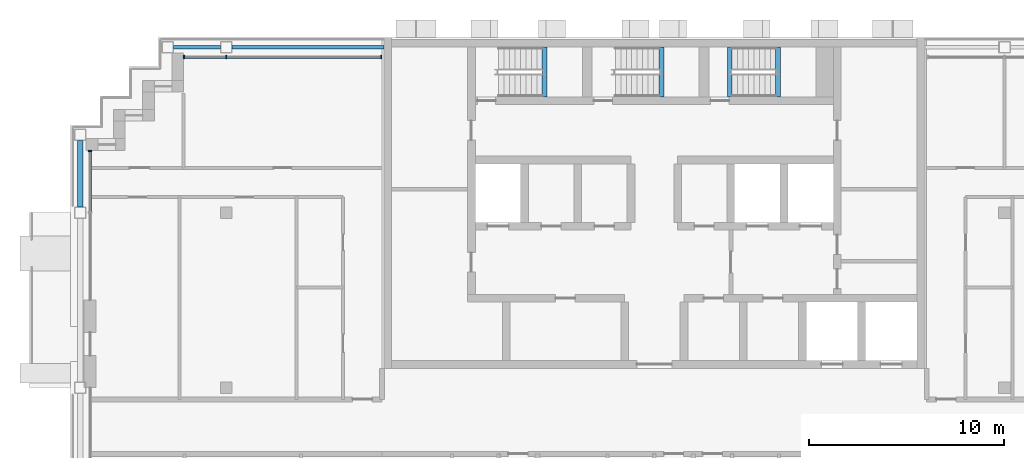
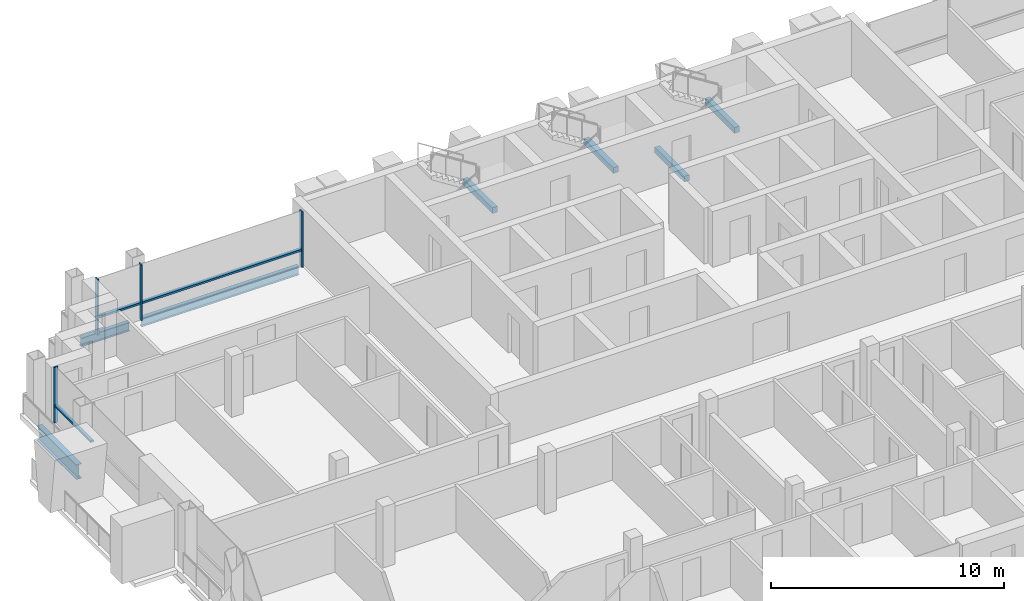
# One storey, part 4 of 16: 7 beams, 7 members, 2 elements without a shape of their own.
"""IFC4 building model written with IfcOpenShell, lengths in metres."""

from ifc_helpers import new_model, si_unit, direction, frame, origin, origin_2d, place, context, subcontext, project, spatial, rectangle, i_section, extrude, material, material_profile, profile_set, type_object, element, aggregate, save


model = new_model("IFC4")

# Units and contexts
model_context = context("Model", 3, precision=1e-05, world=origin(), true_north=direction((0.0, 1.0)))
body_context = subcontext(model_context, "Body", "Model", "MODEL_VIEW")
ifc_project = project(units=[si_unit("LENGTHUNIT", "METRE"), si_unit("AREAUNIT", "SQUARE_METRE"), si_unit("VOLUMEUNIT", "CUBIC_METRE"), si_unit("PLANEANGLEUNIT", "RADIAN"), si_unit("MASSUNIT", "GRAM", prefix="KILO")], contexts=[model_context])

# Site, building, storey
site_placement = place(None, origin())
site = spatial("IfcSite", under=ifc_project, at=site_placement, CompositionType="ELEMENT")
building_placement = place(site_placement, origin())
building = spatial("IfcBuilding", under=site, at=building_placement, Name="Vidyagriha Tower", CompositionType="ELEMENT")
storey_placement = place(building_placement, frame((0.0, 0.0, 220.39990234375)))
storey = spatial("IfcBuildingStorey", under=building, at=storey_placement, Name="L57", CompositionType="ELEMENT", Elevation=220.39990234375)

# Beams
ifc_material_1 = material(Name="Steel ASTM A992 Grade 50", Category="steel")
ifc_material_profile_1 = material_profile(ifc_material_1, i_section(OverallWidth=0.2666015625, OverallDepth=0.76953125, WebThickness=0.015625, FlangeThickness=0.025390625, at=origin_2d()), Name="W30X132")
ifc_profile_set_1 = profile_set([ifc_material_profile_1], Name="Steel ASTM A992 Grade 50")
beam_type_1 = type_object("IfcBeamType", Name="Cantilever edge beam W30X132", PredefinedType="SPANDREL", material=ifc_profile_set_1)
beam_1_placement = place(storey_placement, frame((-29.5, 11.300048828125, -0.664794921875), z_axis=(0.0, 1.0, 0.0), x_axis=(-1.0, 0.0, 0.0)))
element("IfcBeam", 1, at=beam_1_placement, inside=storey, type_object=beam_type_1, Name="st-beam-L57-W12", PredefinedType="SPANDREL", context=body_context, shape_type="SweptSolid", body=[
    extrude(i_section(OverallWidth=0.2666015625, OverallDepth=0.76953125, WebThickness=0.015625, FlangeThickness=0.025390625, at=origin_2d()), origin(), (0.0, 0.0, 1.0), 3.39990234375),
])
ifc_material_2 = material(Name="Steel ASTM A992 Grade 50", Category="steel")
ifc_material_profile_2 = material_profile(ifc_material_2, i_section(OverallWidth=0.19189453125, OverallDepth=0.46240234375, WebThickness=0.010498046875, FlangeThickness=0.017578125, at=origin_2d()), Name="W18X60")
ifc_profile_set_2 = profile_set([ifc_material_profile_2], Name="Steel ASTM A992 Grade 50")
beam_type_2 = type_object("IfcBeamType", Name="Edge beam W18X60", PredefinedType="SPANDREL", material=ifc_profile_set_2)
beam_2_placement = place(storey_placement, frame((-24.699951171875, 19.5, -0.510986328125), z_axis=(1.0, 0.0, 0.0), x_axis=(0.0, 1.0, 0.0)))
element("IfcBeam", 2, at=beam_2_placement, inside=storey, type_object=beam_type_2, Name="st-beam-L57-NW18", PredefinedType="SPANDREL", context=body_context, shape_type="SweptSolid", body=[
    extrude(i_section(OverallWidth=0.19189453125, OverallDepth=0.46240234375, WebThickness=0.010498046875, FlangeThickness=0.017578125, at=origin_2d()), origin(), (0.0, 0.0, 1.0), 2.39990234375),
])
beam_3_placement = place(storey_placement, frame((-21.699951171875, 19.5, -0.510986328125), z_axis=(1.0, 0.0, 0.0), x_axis=(0.0, 1.0, 0.0)))
element("IfcBeam", 3, at=beam_3_placement, inside=storey, type_object=beam_type_2, Name="st-beam-L57-NC20", PredefinedType="SPANDREL", context=body_context, shape_type="SweptSolid", body=[
    extrude(i_section(OverallWidth=0.19189453125, OverallDepth=0.46240234375, WebThickness=0.010498046875, FlangeThickness=0.017578125, at=origin_2d()), origin(), (0.0, 0.0, 1.0), 7.800048828125),
])

# Curtain wall, members
ifc_material_3 = material(Name="Aluminium and glass curtain wall", Category="aluminium")
curtain_wall_type = type_object("IfcCurtainWallType", Name="Dwelling skin unitised curtain wall", PredefinedType="USERDEFINED", material=ifc_material_3)
curtain_wall_1_placement = place(storey_placement, origin())
curtain_wall_1 = element("IfcCurtainWall", 4, at=curtain_wall_1_placement, inside=storey, type_object=curtain_wall_type, Name="CW1 dwelling skin", ObjectType="UNITISED", PredefinedType="USERDEFINED")
ifc_material_4 = material(Name="Aluminium black anodised", Category="aluminium")
ifc_material_profile_3 = material_profile(ifc_material_4, rectangle(XDim=0.199951171875, YDim=0.070068359375, at=origin_2d()), Name="Mullion 70x200 black aluminium")
ifc_profile_set_3 = profile_set([ifc_material_profile_3], Name="Aluminium black anodised")
member_type_1 = type_object("IfcMemberType", Name="Mullion 70x200 black aluminium", PredefinedType="MULLION", material=ifc_profile_set_3)
member_1_placement = place(storey_placement, frame((-14.034912109375, 19.0, 0.0), z_axis=(0.0, 0.0, 1.0), x_axis=(0.0, -1.0, 0.0)))
member_1 = element("IfcMember", 5, at=member_1_placement, type_object=member_type_1, Name="CW1 mullion 1", PredefinedType="MULLION", context=body_context, shape_type="SweptSolid", body=[
    extrude(rectangle(XDim=0.199951171875, YDim=0.070068359375, at=origin_2d()), origin(), (0.0, 0.0, 1.0), 2.920166015625),
])
member_2_placement = place(storey_placement, frame((-22.0, 19.0, 0.0), z_axis=(0.0, 0.0, 1.0), x_axis=(0.0, -1.0, 0.0)))
member_2 = element("IfcMember", 6, at=member_2_placement, type_object=member_type_1, Name="CW1 mullion 2", PredefinedType="MULLION", context=body_context, shape_type="SweptSolid", body=[
    extrude(rectangle(XDim=0.199951171875, YDim=0.070068359375, at=origin_2d()), origin(), (0.0, 0.0, 1.0), 2.920166015625),
])
member_3_placement = place(storey_placement, frame((-24.1650390625, 19.0, 0.0), z_axis=(0.0, 0.0, 1.0), x_axis=(0.0, -1.0, 0.0)))
member_3 = element("IfcMember", 7, at=member_3_placement, type_object=member_type_1, Name="CW1 mullion 3", PredefinedType="MULLION", context=body_context, shape_type="SweptSolid", body=[
    extrude(rectangle(XDim=0.199951171875, YDim=0.070068359375, at=origin_2d()), origin(), (0.0, 0.0, 1.0), 2.920166015625),
])

# Curtain wall, member
curtain_wall_2_placement = place(storey_placement, origin())
curtain_wall_2 = element("IfcCurtainWall", 8, at=curtain_wall_2_placement, inside=storey, type_object=curtain_wall_type, Name="CW1 dwelling skin", ObjectType="UNITISED", PredefinedType="USERDEFINED")
member_4_placement = place(storey_placement, frame((-29.0, 14.1650390625, 0.0)))
member_4 = element("IfcMember", 9, at=member_4_placement, type_object=member_type_1, Name="CW1 mullion 1", PredefinedType="MULLION", context=body_context, shape_type="SweptSolid", body=[
    extrude(rectangle(XDim=0.199951171875, YDim=0.070068359375, at=origin_2d()), origin(), (0.0, 0.0, 1.0), 2.920166015625),
])

# Beams
ifc_material_5 = material(Name="Concrete C40/50", Category="concrete")
ifc_material_profile_4 = material_profile(ifc_material_5, rectangle(XDim=0.25, YDim=0.300048828125, at=origin_2d()), Name="Stair landing bearing beam 250x300")
ifc_profile_set_4 = profile_set([ifc_material_profile_4], Name="Concrete C40/50")
beam_type_3 = type_object("IfcBeamType", Name="Stair landing bearing beam 250x300", PredefinedType="BEAM", material=ifc_profile_set_4)
for number, where, z_axis, x_axis, name in (
    (10, (3.875, 16.949951171875, -0.429931640625), (0.0, 1.0, 0.0), (-1.0, 0.0, 0.0), "ST3 floor landing bearing beam L57"),
    (11, (-5.635009765625, 16.949951171875, 1.25), (0.0, 1.0, 0.0), (-1.0, 0.0, 0.0), "ST1 landing bearing beam L57"),
    (12, (0.364990234375, 16.949951171875, 1.25), (0.0, 1.0, 0.0), (-1.0, 0.0, 0.0), "ST2 landing bearing beam L57"),
    (13, (6.364990234375, 16.949951171875, 1.25), (0.0, 1.0, 0.0), (-1.0, 0.0, 0.0), "ST3 landing bearing beam L57"),
):
    element("IfcBeam", number, at=place(storey_placement, frame(where, z_axis=z_axis, x_axis=x_axis)), inside=storey, type_object=beam_type_3, Name=name, PredefinedType="BEAM", context=body_context, shape_type="SweptSolid", body=[
        extrude(rectangle(XDim=0.25, YDim=0.300048828125, at=origin_2d()), origin(), (0.0, 0.0, 1.0), 2.550048828125),
    ])

# Member
ifc_material_6 = material(Name="Aluminium black anodised", Category="aluminium")
ifc_material_profile_5 = material_profile(ifc_material_6, rectangle(XDim=0.159912109375, YDim=0.10009765625, at=origin_2d()), Name="Transom 100x160 black aluminium")
ifc_profile_set_5 = profile_set([ifc_material_profile_5], Name="Aluminium black anodised")
member_type_2 = type_object("IfcMemberType", Name="Transom 100x160 black aluminium", PredefinedType="USERDEFINED", material=ifc_profile_set_5)
member_5_placement = place(storey_placement, frame((-14.070068359375, 19.0, 0.900146484375), z_axis=(-1.0, 0.0, 0.0), x_axis=(0.0, -1.0, 0.0)))
member_5 = element("IfcMember", 14, at=member_5_placement, type_object=member_type_2, Name="CW1 transom 1.1", ObjectType="TRANSOM", PredefinedType="USERDEFINED", context=body_context, shape_type="SweptSolid", body=[
    extrude(rectangle(XDim=0.159912109375, YDim=0.10009765625, at=origin_2d()), origin(), (0.0, 0.0, 1.0), 7.89501953125),
])

member_6_placement = place(storey_placement, frame((-22.034912109375, 19.0, 0.900146484375), z_axis=(-1.0, 0.0, 0.0), x_axis=(0.0, -1.0, 0.0)))
member_6 = element("IfcMember", 15, at=member_6_placement, type_object=member_type_2, Name="CW1 transom 2.1", ObjectType="TRANSOM", PredefinedType="USERDEFINED", context=body_context, shape_type="SweptSolid", body=[
    extrude(rectangle(XDim=0.159912109375, YDim=0.10009765625, at=origin_2d()), origin(), (0.0, 0.0, 1.0), 2.094970703125),
])

aggregate(curtain_wall_1, [member_1, member_2, member_3, member_5, member_6])

member_7_placement = place(storey_placement, frame((-29.0, 14.1298828125, 0.900146484375), z_axis=(0.0, -1.0, 0.0), x_axis=(1.0, 0.0, 0.0)))
member_7 = element("IfcMember", 16, at=member_7_placement, type_object=member_type_2, Name="CW1 transom 1.1", ObjectType="TRANSOM", PredefinedType="USERDEFINED", context=body_context, shape_type="SweptSolid", body=[
    extrude(rectangle(XDim=0.159912109375, YDim=0.10009765625, at=origin_2d()), origin(), (0.0, 0.0, 1.0), 3.094970703125),
])

aggregate(curtain_wall_2, [member_4, member_7])

save(model, "model.ifc")
